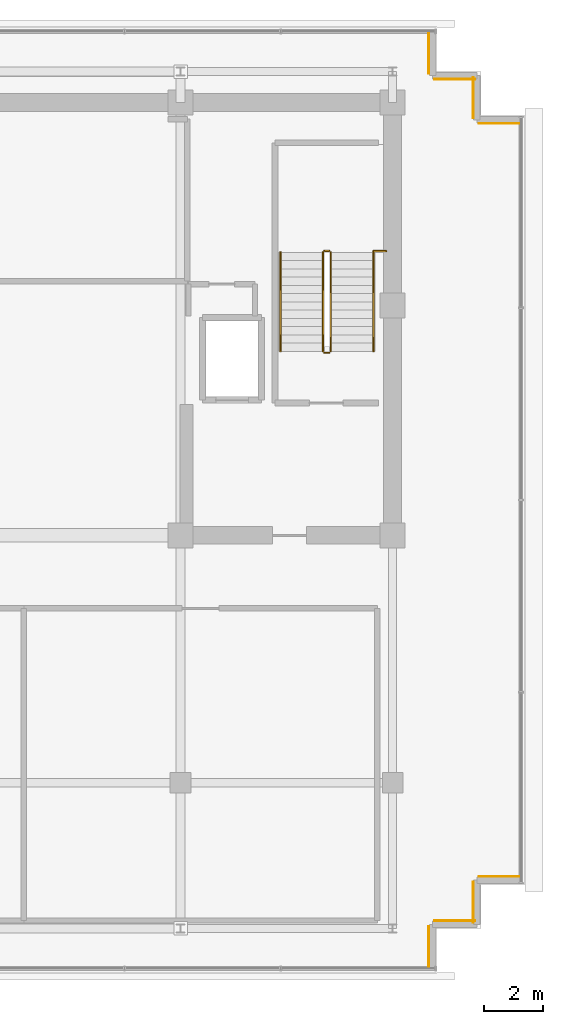
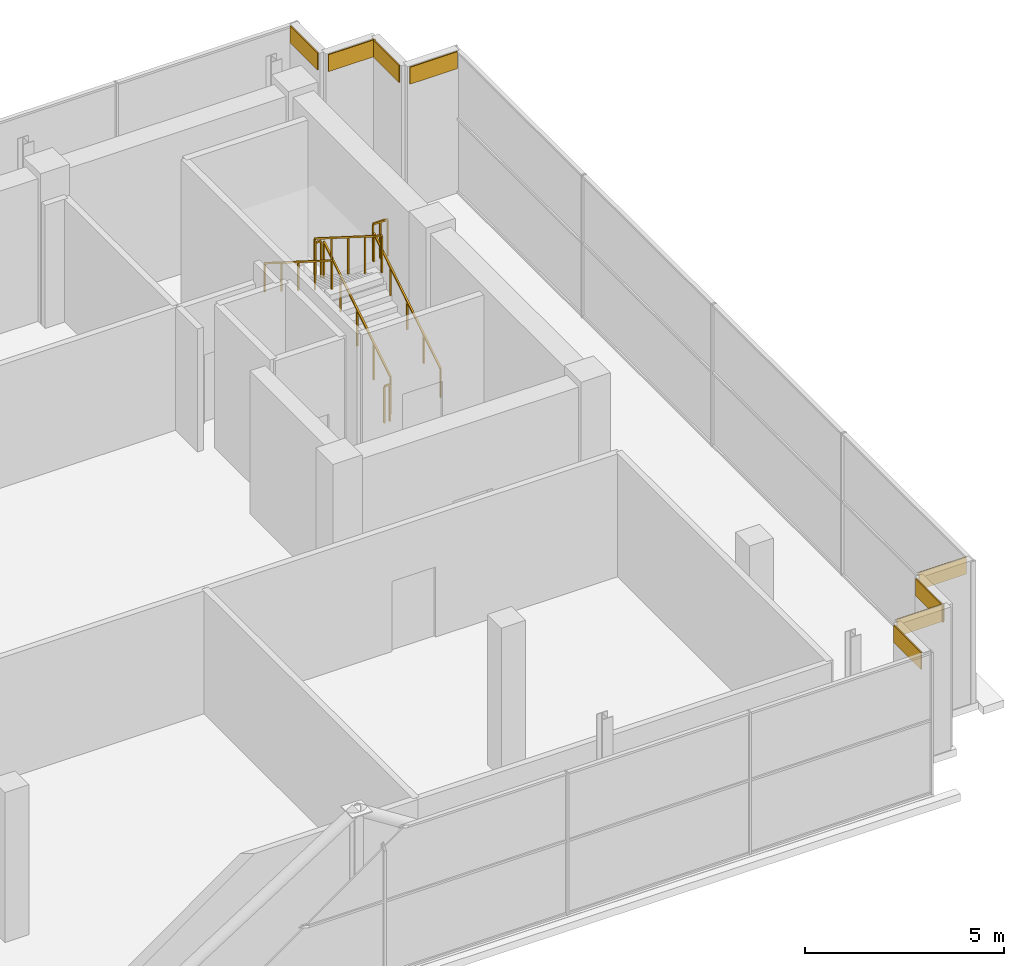
# One storey, part 26 of 26: 8 coverings, 7 railings.
"""IFC4 building model written with IfcOpenShell, lengths in metres."""

from ifc_helpers import new_model, si_unit, direction, frame, origin, origin_2d, place, context, subcontext, project, spatial, rectangle, extrude, source, transform, mapped, material, layer, layer_set, type_object, element, save


model = new_model("IFC4")

# Units and contexts
model_context = context("Model", 3, precision=1e-05, world=origin(), true_north=direction((0.0, 1.0)))
body_context = subcontext(model_context, "Body", "Model", "MODEL_VIEW")
ifc_project = project(units=[si_unit("LENGTHUNIT", "METRE"), si_unit("AREAUNIT", "SQUARE_METRE"), si_unit("VOLUMEUNIT", "CUBIC_METRE"), si_unit("PLANEANGLEUNIT", "RADIAN"), si_unit("MASSUNIT", "GRAM", prefix="KILO")], contexts=[model_context])

# Site, building, storey
site_placement = place(None, origin())
site = spatial("IfcSite", under=ifc_project, at=site_placement, CompositionType="ELEMENT")
building_placement = place(site_placement, origin())
building = spatial("IfcBuilding", under=site, at=building_placement, Name="Zarnakvel Exchange Tower", CompositionType="ELEMENT")
storey_placement = place(building_placement, frame((0.0, 0.0, 285.39990234375)))
storey = spatial("IfcBuildingStorey", under=building, at=storey_placement, Name="Crown L80", CompositionType="ELEMENT", Elevation=285.39990234375)

# Railings
ifc_material_1 = material(Name="Brushed Stainless Steel", Category="steel")
railing_type_1 = type_object("IfcRailingType", Name="HR-01", PredefinedType="HANDRAIL", material=ifc_material_1)
railing_1_placement = place(storey_placement, frame((13.75, 5.050048828125, 0.177001953125)))
element("IfcRailing", 1, at=railing_1_placement, inside=storey, type_object=railing_type_1, Name="Crown L80 ST-02 stair handrail 1", PredefinedType="HANDRAIL", context=body_context, shape_type="SweptSolid", body=[
    extrude(rectangle(XDim=0.048095703125, YDim=0.048095703125, at=origin_2d()), frame((0.0, 0.0, 0.8759765625), z_axis=(0.0, 0.845372108799, 0.534177870812), x_axis=(-1.0, 0.0, 0.0)), (0.0, 0.0, 1.0), 3.974365234375),
    extrude(rectangle(XDim=0.0419921875, YDim=0.0419921875, at=origin_2d()), origin(), (0.0, 0.0, 1.0), 0.851806640625),
    extrude(rectangle(XDim=0.0419921875, YDim=0.0419921875, at=origin_2d()), frame((0.0, 0.83984375, 0.53076171875)), (0.0, 0.0, 1.0), 0.851806640625),
    extrude(rectangle(XDim=0.0419921875, YDim=0.0419921875, at=origin_2d()), frame((0.0, 1.679931640625, 1.0615234375)), (0.0, 0.0, 1.0), 0.851806640625),
    extrude(rectangle(XDim=0.0419921875, YDim=0.0419921875, at=origin_2d()), frame((0.0, 2.52001953125, 1.59228515625)), (0.0, 0.0, 1.0), 0.851806640625),
    extrude(rectangle(XDim=0.0419921875, YDim=0.0419921875, at=origin_2d()), frame((0.0, 3.35986328125, 2.123046875)), (0.0, 0.0, 1.0), 0.851806640625),
])
railing_2_placement = place(storey_placement, frame((10.590087890625, 8.409912109375, 2.47705078125)))
element("IfcRailing", 2, at=railing_2_placement, inside=storey, type_object=railing_type_1, Name="Crown L80 ST-02 stair handrail 2", PredefinedType="HANDRAIL", context=body_context, shape_type="SweptSolid", body=[
    extrude(rectangle(XDim=0.048095703125, YDim=0.048095703125, at=origin_2d()), frame((0.0, 0.0, 0.8759765625), z_axis=(0.0, -0.845372108799, 0.534177870812), x_axis=(1.0, 0.0, 0.0)), (0.0, 0.0, 1.0), 3.974365234375),
    extrude(rectangle(XDim=0.0419921875, YDim=0.0419921875, at=origin_2d()), origin(), (0.0, 0.0, 1.0), 0.851806640625),
    extrude(rectangle(XDim=0.0419921875, YDim=0.0419921875, at=origin_2d()), frame((0.0, -0.83984375, 0.53076171875)), (0.0, 0.0, 1.0), 0.851806640625),
    extrude(rectangle(XDim=0.0419921875, YDim=0.0419921875, at=origin_2d()), frame((0.0, -1.679931640625, 1.0615234375)), (0.0, 0.0, 1.0), 0.851806640625),
    extrude(rectangle(XDim=0.0419921875, YDim=0.0419921875, at=origin_2d()), frame((0.0, -2.52001953125, 1.59228515625)), (0.0, 0.0, 1.0), 0.851806640625),
    extrude(rectangle(XDim=0.0419921875, YDim=0.0419921875, at=origin_2d()), frame((0.0, -3.35986328125, 2.123046875)), (0.0, 0.0, 1.0), 0.851806640625),
])
ifc_material_2 = material(Name="Architectural Bronze Anodised Aluminium", Category="aluminium")
railing_type_2 = type_object("IfcRailingType", Name="SG-01", PredefinedType="GUARDRAIL", material=ifc_material_2)
railing_3_placement = place(storey_placement, frame((12.300048828125, 5.050048828125, 0.177001953125)))
element("IfcRailing", 3, at=railing_3_placement, inside=storey, type_object=railing_type_2, Name="Crown L80 ST-02 stair guard 1", PredefinedType="GUARDRAIL", context=body_context, shape_type="SweptSolid", body=[
    extrude(rectangle(XDim=0.048095703125, YDim=0.048095703125, at=origin_2d()), frame((0.0, 0.0, 1.1259765625), z_axis=(0.0, 0.845372108799, 0.534177870812), x_axis=(-1.0, 0.0, 0.0)), (0.0, 0.0, 1.0), 3.974365234375),
    extrude(rectangle(XDim=0.0419921875, YDim=0.0419921875, at=origin_2d()), origin(), (0.0, 0.0, 1.0), 1.101806640625),
    extrude(rectangle(XDim=0.0419921875, YDim=0.0419921875, at=origin_2d()), frame((0.0, 0.83984375, 0.53076171875)), (0.0, 0.0, 1.0), 1.101806640625),
    extrude(rectangle(XDim=0.0419921875, YDim=0.0419921875, at=origin_2d()), frame((0.0, 1.679931640625, 1.0615234375)), (0.0, 0.0, 1.0), 1.101806640625),
    extrude(rectangle(XDim=0.0419921875, YDim=0.0419921875, at=origin_2d()), frame((0.0, 2.52001953125, 1.59228515625)), (0.0, 0.0, 1.0), 1.101806640625),
    extrude(rectangle(XDim=0.0419921875, YDim=0.0419921875, at=origin_2d()), frame((0.0, 3.35986328125, 2.123046875)), (0.0, 0.0, 1.0), 1.101806640625),
])
railing_4_placement = place(storey_placement, frame((12.25, 8.4599609375, 2.300048828125)))
element("IfcRailing", 4, at=railing_4_placement, inside=storey, type_object=railing_type_2, Name="Crown L80 ST-02 stair guard 2", PredefinedType="GUARDRAIL", context=body_context, shape_type="SweptSolid", body=[
    extrude(rectangle(XDim=0.048095703125, YDim=0.048095703125, at=origin_2d()), frame((0.0, 0.0, 1.1259765625), z_axis=(-1.0, 0.0, 0.0), x_axis=(0.0, -1.0, 0.0)), (0.0, 0.0, 1.0), 0.159912109375),
    extrude(rectangle(XDim=0.0419921875, YDim=0.0419921875, at=origin_2d()), origin(), (0.0, 0.0, 1.0), 1.101806640625),
    extrude(rectangle(XDim=0.0419921875, YDim=0.0419921875, at=origin_2d()), frame((-0.159912109375, 0.0, 0.0)), (0.0, 0.0, 1.0), 1.101806640625),
])
railing_5_placement = place(storey_placement, frame((12.0400390625, 8.409912109375, 2.47705078125)))
element("IfcRailing", 5, at=railing_5_placement, inside=storey, type_object=railing_type_2, Name="Crown L80 ST-02 stair guard 3", PredefinedType="GUARDRAIL", context=body_context, shape_type="SweptSolid", body=[
    extrude(rectangle(XDim=0.048095703125, YDim=0.048095703125, at=origin_2d()), frame((0.0, 0.0, 1.1259765625), z_axis=(0.0, -0.845372108799, 0.534177870812), x_axis=(1.0, 0.0, 0.0)), (0.0, 0.0, 1.0), 3.974365234375),
    extrude(rectangle(XDim=0.0419921875, YDim=0.0419921875, at=origin_2d()), origin(), (0.0, 0.0, 1.0), 1.101806640625),
    extrude(rectangle(XDim=0.0419921875, YDim=0.0419921875, at=origin_2d()), frame((0.0, -0.83984375, 0.53076171875)), (0.0, 0.0, 1.0), 1.101806640625),
    extrude(rectangle(XDim=0.0419921875, YDim=0.0419921875, at=origin_2d()), frame((0.0, -1.679931640625, 1.0615234375)), (0.0, 0.0, 1.0), 1.101806640625),
    extrude(rectangle(XDim=0.0419921875, YDim=0.0419921875, at=origin_2d()), frame((0.0, -2.52001953125, 1.59228515625)), (0.0, 0.0, 1.0), 1.101806640625),
    extrude(rectangle(XDim=0.0419921875, YDim=0.0419921875, at=origin_2d()), frame((0.0, -3.35986328125, 2.123046875)), (0.0, 0.0, 1.0), 1.101806640625),
])
railing_6_placement = place(storey_placement, frame((12.25, 5.0, 0.0)))
element("IfcRailing", 6, at=railing_6_placement, inside=storey, type_object=railing_type_2, Name="Crown L80 ST-02 stair guard 4", PredefinedType="GUARDRAIL", context=body_context, shape_type="SweptSolid", body=[
    extrude(rectangle(XDim=0.048095703125, YDim=0.048095703125, at=origin_2d()), frame((0.0, 0.0, 1.1259765625), z_axis=(-1.0, 0.0, 0.0), x_axis=(0.0, -1.0, 0.0)), (0.0, 0.0, 1.0), 0.159912109375),
    extrude(rectangle(XDim=0.0419921875, YDim=0.0419921875, at=origin_2d()), origin(), (0.0, 0.0, 1.0), 1.101806640625),
    extrude(rectangle(XDim=0.0419921875, YDim=0.0419921875, at=origin_2d()), frame((-0.159912109375, 0.0, 0.0)), (0.0, 0.0, 1.0), 1.101806640625),
])
railing_7_placement = place(storey_placement, frame((13.75, 8.449951171875, 2.300048828125)))
element("IfcRailing", 7, at=railing_7_placement, inside=storey, type_object=railing_type_2, Name="Crown L80 ST-02 Landing Slot Guardrail", PredefinedType="GUARDRAIL", context=body_context, shape_type="SweptSolid", body=[
    extrude(rectangle(XDim=0.048095703125, YDim=0.048095703125, at=origin_2d()), frame((0.0, 0.0, 1.1259765625), z_axis=(1.0, 0.0, 0.0), x_axis=(0.0, 1.0, 0.0)), (0.0, 0.0, 1.0), 0.429931640625),
    extrude(rectangle(XDim=0.0419921875, YDim=0.0419921875, at=origin_2d()), origin(), (0.0, 0.0, 1.0), 1.101806640625),
    extrude(rectangle(XDim=0.0419921875, YDim=0.0419921875, at=origin_2d()), frame((0.21484375, 0.0, 0.0)), (0.0, 0.0, 1.0), 1.101806640625),
    extrude(rectangle(XDim=0.0419921875, YDim=0.0419921875, at=origin_2d()), frame((0.429931640625, 0.0, 0.0)), (0.0, 0.0, 1.0), 1.101806640625),
])

# Coverings
ifc_material_3 = material(Name="Warm Sandstone Terracotta Spandrel Tile", Category="masonry")
ifc_layer = layer(ifc_material_3, 0.031982421875)
ifc_layer_set = layer_set([ifc_layer], Name="Warm Sandstone Terracotta Spandrel Tile")
covering_type = type_object("IfcCoveringType", Name="CL-02", PredefinedType="CLADDING", material=ifc_layer_set)
shared_shape = source(origin(), body_context, "Body", "SweptSolid", [
    extrude(rectangle(XDim=1.3798828125, YDim=0.031982421875, at=origin_2d()), origin(), (0.0, 0.0, 1.0), 0.52001953125),
])
for number, where, z_axis, x_axis, name in (
    (8, (15.635986328125, 15.159912109375, 3.840087890625), (0.0, 0.0, 1.0), (0.0, 1.0, 0.0), "Crown L80 Ceramic Spandrel Tilework CL-02"),
    (9, (16.510009765625, 14.285888671875, 3.840087890625), (0.0, 0.0, 1.0), (-1.0, 0.0, 0.0), "Crown L80 Ceramic Spandrel Tilework CL-02"),
    (10, (17.135986328125, 13.659912109375, 3.840087890625), (0.0, 0.0, 1.0), (0.0, 1.0, 0.0), "Crown L80 Ceramic Spandrel Tilework CL-02"),
    (11, (18.010009765625, 12.785888671875, 3.840087890625), (0.0, 0.0, 1.0), (-1.0, 0.0, 0.0), "Crown L80 Ceramic Spandrel Tilework CL-02"),
    (12, (18.010009765625, -12.785888671875, 3.840087890625), (0.0, 0.0, 1.0), (1.0, 0.0, 0.0), "Crown L80 Ceramic Spandrel Tilework CL-02"),
    (13, (17.135986328125, -13.659912109375, 3.840087890625), (0.0, 0.0, 1.0), (0.0, 1.0, 0.0), "Crown L80 Ceramic Spandrel Tilework CL-02"),
    (14, (16.510009765625, -14.285888671875, 3.840087890625), (0.0, 0.0, 1.0), (1.0, 0.0, 0.0), "Crown L80 Ceramic Spandrel Tilework CL-02"),
    (15, (15.635986328125, -15.159912109375, 3.840087890625), (0.0, 0.0, 1.0), (0.0, 1.0, 0.0), "Crown L80 Ceramic Spandrel Tilework CL-02"),
):
    element("IfcCovering", number, at=place(storey_placement, frame(where, z_axis=z_axis, x_axis=x_axis)), inside=storey, type_object=covering_type, Name=name, PredefinedType="CLADDING", context=body_context, shape_type="MappedRepresentation", body=[
        mapped(shared_shape, transform((0.0, 0.0, 0.0), x_axis=(1.0, 0.0, 0.0), y_axis=(0.0, 1.0, 0.0), z_axis=(0.0, 0.0, 1.0), scale=1.0)),
    ])

save(model, "model.ifc")
